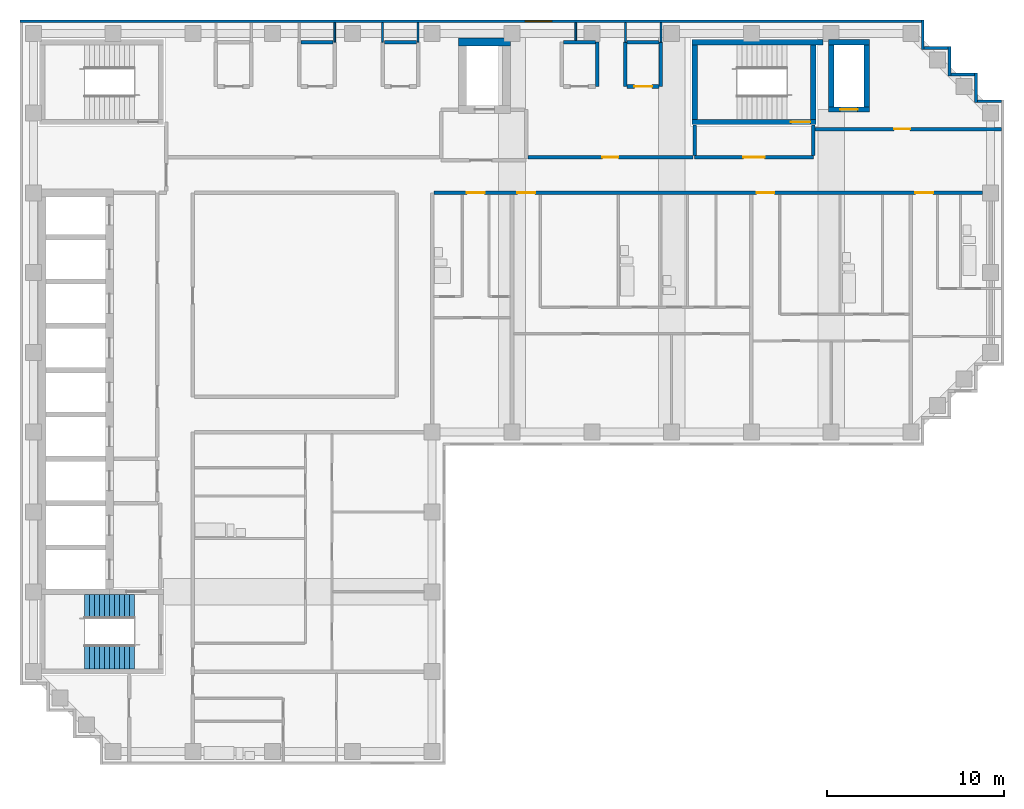
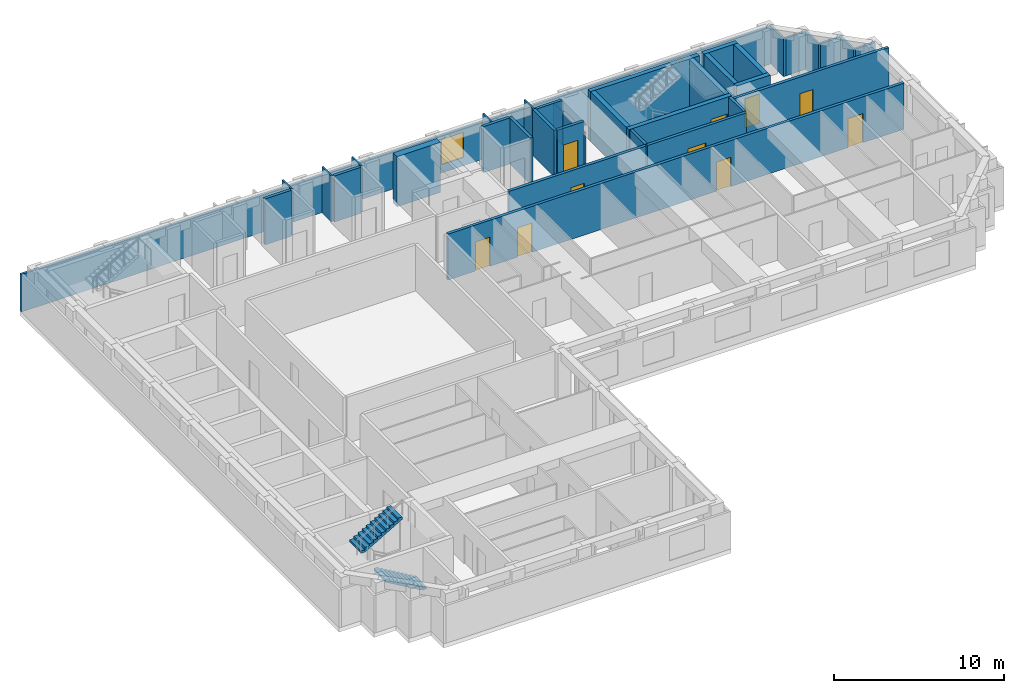
# One storey, part 6 of 9: 36 walls, 10 doors, 2 stair flights, 1 window, 11 openings, 1 element without a shape of its own.
"""IFC4 building model written with IfcOpenShell, lengths in metres."""

from ifc_helpers import new_model, si_unit, direction, frame, frame_2d, origin, place, context, subcontext, project, spatial, polyline, rectangle, outline, extrude, material, layer, layer_set, type_object, element, fill, aggregate, save


model = new_model("IFC4")

# Units and contexts
model_context = context("Model", 3, precision=1e-05, world=origin(), true_north=direction((0.0, 1.0)))
body_context = subcontext(model_context, "Body", "Model", "MODEL_VIEW")
ifc_project = project(units=[si_unit("LENGTHUNIT", "METRE"), si_unit("AREAUNIT", "SQUARE_METRE"), si_unit("VOLUMEUNIT", "CUBIC_METRE"), si_unit("PLANEANGLEUNIT", "RADIAN"), si_unit("MASSUNIT", "GRAM", prefix="KILO")], contexts=[model_context])

# Site, building, storey
site_placement = place(None, origin())
site = spatial("IfcSite", under=ifc_project, at=site_placement, CompositionType="ELEMENT")
building_placement = place(site_placement, origin())
building = spatial("IfcBuilding", under=site, at=building_placement, Name="Firuza Court", CompositionType="ELEMENT")
storey_placement = place(building_placement, frame((0.0, 0.0, 218.60009765625)))
storey = spatial("IfcBuildingStorey", under=building, at=storey_placement, Name="L56", CompositionType="ELEMENT", Elevation=218.60009765625)

# Wall, opening, door
ifc_material_1 = material(Name="Concrete C50/60", Category="concrete")
ifc_layer_1 = layer(ifc_material_1, 0.300048828125)
ifc_layer_set_1 = layer_set([ifc_layer_1], Name="Concrete C50/60")
wall_type_1 = type_object("IfcWallType", Name="Core wall 300 C50/60", PredefinedType="SHEAR", material=ifc_layer_set_1)
wall_1_placement = place(storey_placement, frame((37.14990234375, 53.5, -0.300048828125), z_axis=(0.0, 0.0, 1.0), x_axis=(1.0, 0.0, 0.0)))
wall_1 = element("IfcWall", 1, at=wall_1_placement, inside=storey, type_object=wall_type_1, Name="Core wall stair L56", PredefinedType="SHEAR", context=body_context, shape_type="SweptSolid", body=[
    extrude(rectangle(XDim=7.0, YDim=0.300048828125, at=frame_2d((3.5, 0.0))), origin(), (0.0, 0.0, 1.0), 3.599853515625),
])
opening_1_placement = place(wall_1_placement, frame((5.580078125, 0.0, 0.300048828125)))
opening_1 = element("IfcOpeningElement", 2, at=opening_1_placement, cuts=wall_1, Name="Opening D56009", PredefinedType="OPENING", context=body_context, shape_type="SweptSolid", body=[
    extrude(rectangle(XDim=1.10009765625, YDim=2.10009765625, at=frame_2d((0.550048828125, 1.050048828125))), frame((0.0, 0.162109375, 0.0), z_axis=(0.0, -1.0, 0.0), x_axis=(1.0, 0.0, 0.0)), (0.0, 0.0, 1.0), 0.323974609375),
])
ifc_material_2 = material(Name="Timber door leaf in hardwood frame", Category="wood")
door_type_1 = type_object("IfcDoorType", Name="Stair door 1100", OperationType="SINGLE_SWING_LEFT", PredefinedType="DOOR", material=ifc_material_2)
door_1_placement = place(opening_1_placement, origin())
door_1 = element("IfcDoor", 3, at=door_1_placement, inside=storey, type_object=door_type_1, Name="Stair door S1", OperationType="SINGLE_SWING_RIGHT", OverallHeight=2.10009765625, OverallWidth=1.10009765625, PredefinedType="DOOR", context=body_context, shape_type="SweptSolid", body=[
    extrude(rectangle(XDim=1.10009765625, YDim=2.10009765625, at=frame_2d((0.550048828125, 1.050048828125))), frame((0.0, 0.02490234375, 0.0), z_axis=(0.0, -1.0, 0.0), x_axis=(1.0, 0.0, 0.0)), (0.0, 0.0, 1.0), 0.050048828125),
])
fill(opening_1, door_1)

# Walls
wall_2_placement = place(storey_placement, frame((37.14990234375, 58.0, -0.300048828125), z_axis=(0.0, 0.0, 1.0), x_axis=(1.0, 0.0, 0.0)))
element("IfcWall", 4, at=wall_2_placement, inside=storey, type_object=wall_type_1, Name="Core wall stair L56", PredefinedType="SHEAR", context=body_context, shape_type="SweptSolid", body=[
    extrude(rectangle(XDim=7.400146484375, YDim=0.300048828125, at=frame_2d((3.7001953125, 0.0))), origin(), (0.0, 0.0, 1.0), 3.599853515625),
])
for number, where, z_axis, x_axis, name in (
    (5, (37.300048828125, 53.64990234375, -0.300048828125), (0.0, 0.0, 1.0), (0.0, 1.0, 0.0), "Core wall stair L56"),
    (6, (44.0, 53.64990234375, -0.300048828125), (0.0, 0.0, 1.0), (0.0, 1.0, 0.0), "Core wall stair L56"),
):
    element("IfcWall", number, at=place(storey_placement, frame(where, z_axis=z_axis, x_axis=x_axis)), inside=storey, type_object=wall_type_1, Name=name, PredefinedType="SHEAR", context=body_context, shape_type="SweptSolid", body=[
        extrude(rectangle(XDim=4.2001953125, YDim=0.300048828125, at=frame_2d((2.10009765625, 0.0))), origin(), (0.0, 0.0, 1.0), 3.599853515625),
    ])

# Wall, opening, door
wall_3_placement = place(storey_placement, frame((44.85009765625, 54.199951171875, -0.300048828125), z_axis=(0.0, 0.0, 1.0), x_axis=(1.0, 0.0, 0.0)))
wall_3 = element("IfcWall", 7, at=wall_3_placement, inside=storey, type_object=wall_type_1, Name="Core wall riser L56", PredefinedType="SHEAR", context=body_context, shape_type="SweptSolid", body=[
    extrude(rectangle(XDim=2.2998046875, YDim=0.300048828125, at=frame_2d((1.14990234375, 0.0))), origin(), (0.0, 0.0, 1.0), 3.599853515625),
])
opening_2_placement = place(wall_3_placement, frame((0.64990234375, 0.0, 0.300048828125)))
opening_2 = element("IfcOpeningElement", 8, at=opening_2_placement, cuts=wall_3, Name="Opening D56008", PredefinedType="OPENING", context=body_context, shape_type="SweptSolid", body=[
    extrude(rectangle(XDim=1.0, YDim=2.10009765625, at=frame_2d((0.5, 1.050048828125))), frame((0.0, 0.162109375, 0.0), z_axis=(0.0, -1.0, 0.0), x_axis=(1.0, 0.0, 0.0)), (0.0, 0.0, 1.0), 0.323974609375),
])
ifc_material_3 = material(Name="Timber door leaf in hardwood frame", Category="wood")
door_type_2 = type_object("IfcDoorType", Name="Riser door 1000", OperationType="SINGLE_SWING_LEFT", PredefinedType="DOOR", material=ifc_material_3)
door_2_placement = place(opening_2_placement, origin())
door_2 = element("IfcDoor", 9, at=door_2_placement, inside=storey, type_object=door_type_2, Name="Riser door R3", OperationType="SINGLE_SWING_LEFT", OverallHeight=2.10009765625, OverallWidth=1.0, PredefinedType="DOOR", context=body_context, shape_type="SweptSolid", body=[
    extrude(rectangle(XDim=1.0, YDim=2.10009765625, at=frame_2d((0.5, 1.050048828125))), frame((0.0, 0.02490234375, 0.0), z_axis=(0.0, -1.0, 0.0), x_axis=(1.0, 0.0, 0.0)), (0.0, 0.0, 1.0), 0.050048828125),
])
fill(opening_2, door_2)

# Walls
wall_4_placement = place(storey_placement, frame((44.85009765625, 58.0, -0.300048828125), z_axis=(0.0, 0.0, 1.0), x_axis=(1.0, 0.0, 0.0)))
element("IfcWall", 10, at=wall_4_placement, inside=storey, type_object=wall_type_1, Name="Core wall riser L56", PredefinedType="SHEAR", context=body_context, shape_type="SweptSolid", body=[
    extrude(rectangle(XDim=2.2998046875, YDim=0.300048828125, at=frame_2d((1.14990234375, 0.0))), origin(), (0.0, 0.0, 1.0), 3.599853515625),
])
for number, where, z_axis, x_axis, name in (
    (11, (45.0, 54.35009765625, -0.300048828125), (0.0, 0.0, 1.0), (0.0, 1.0, 0.0), "Core wall riser L56"),
    (12, (47.0, 54.35009765625, -0.300048828125), (0.0, 0.0, 1.0), (0.0, 1.0, 0.0), "Core wall riser L56"),
):
    element("IfcWall", number, at=place(storey_placement, frame(where, z_axis=z_axis, x_axis=x_axis)), inside=storey, type_object=wall_type_1, Name=name, PredefinedType="SHEAR", context=body_context, shape_type="SweptSolid", body=[
        extrude(rectangle(XDim=3.5, YDim=0.300048828125, at=frame_2d((1.75, 0.0))), origin(), (0.0, 0.0, 1.0), 3.599853515625),
    ])
ifc_layer_2 = layer(ifc_material_1, 0.449951171875)
ifc_layer_set_2 = layer_set([ifc_layer_2], Name="Concrete C50/60")
wall_type_2 = type_object("IfcWallType", Name="Core wall 450 C50/60", PredefinedType="SHEAR", material=ifc_layer_set_2)
wall_5_placement = place(storey_placement, frame((23.97509765625, 58.0, -0.300048828125), z_axis=(0.0, 0.0, 1.0), x_axis=(1.0, 0.0, 0.0)))
element("IfcWall", 13, at=wall_5_placement, inside=storey, type_object=wall_type_2, Name="Core wall lift shaft L56", PredefinedType="SHEAR", context=body_context, shape_type="SweptSolid", body=[
    extrude(rectangle(XDim=2.949951171875, YDim=0.449951171875, at=frame_2d((1.47509765625, 0.0))), origin(), (0.0, 0.0, 1.0), 3.599853515625),
])

# Wall, openings, doors
ifc_material_4 = material(Name="Blockwork, plastered both sides", Category="masonry")
ifc_layer_3 = layer(ifc_material_4, 0.199951171875)
ifc_layer_set_3 = layer_set([ifc_layer_3], Name="Blockwork, plastered both sides")
wall_type_3 = type_object("IfcWallType", Name="Corridor wall 200", PredefinedType="PARTITIONING", material=ifc_layer_set_3)
wall_6_placement = place(storey_placement, frame((22.60009765625, 49.5, 0.0), z_axis=(0.0, 0.0, 1.0), x_axis=(1.0, 0.0, 0.0)))
wall_6 = element("IfcWall", 14, at=wall_6_placement, inside=storey, type_object=wall_type_3, Name="Corridor wall 200 L56", PredefinedType="PARTITIONING", context=body_context, shape_type="SweptSolid", body=[
    extrude(rectangle(XDim=30.949951171875, YDim=0.199951171875, at=frame_2d((15.47509765625, 0.0))), origin(), (0.0, 0.0, 1.0), 3.2998046875),
])
opening_3_placement = place(wall_6_placement, frame((1.85009765625, 0.0, 0.0)))
opening_3 = element("IfcOpeningElement", 15, at=opening_3_placement, cuts=wall_6, Name="Opening D56045", PredefinedType="OPENING", context=body_context, shape_type="SweptSolid", body=[
    extrude(rectangle(XDim=1.0, YDim=2.10009765625, at=frame_2d((0.5, 1.050048828125))), frame((0.0, 0.11181640625, 0.0), z_axis=(0.0, -1.0, 0.0), x_axis=(1.0, 0.0, 0.0)), (0.0, 0.0, 1.0), 0.223876953125),
])
opening_4_placement = place(wall_6_placement, frame((4.699951171875, 0.0, 0.0)))
opening_4 = element("IfcOpeningElement", 16, at=opening_4_placement, cuts=wall_6, Name="Opening D56046", PredefinedType="OPENING", context=body_context, shape_type="SweptSolid", body=[
    extrude(rectangle(XDim=1.0, YDim=2.10009765625, at=frame_2d((0.5, 1.050048828125))), frame((0.0, 0.11181640625, 0.0), z_axis=(0.0, -1.0, 0.0), x_axis=(1.0, 0.0, 0.0)), (0.0, 0.0, 1.0), 0.223876953125),
])
opening_5_placement = place(wall_6_placement, frame((18.199951171875, 0.0, 0.0)))
opening_5 = element("IfcOpeningElement", 17, at=opening_5_placement, cuts=wall_6, Name="Opening D56047", PredefinedType="OPENING", context=body_context, shape_type="SweptSolid", body=[
    extrude(rectangle(XDim=1.0, YDim=2.10009765625, at=frame_2d((0.5, 1.050048828125))), frame((0.0, 0.11181640625, 0.0), z_axis=(0.0, -1.0, 0.0), x_axis=(1.0, 0.0, 0.0)), (0.0, 0.0, 1.0), 0.223876953125),
])
opening_6_placement = place(wall_6_placement, frame((27.14990234375, 0.0, 0.0)))
opening_6 = element("IfcOpeningElement", 18, at=opening_6_placement, cuts=wall_6, Name="Opening D56048", PredefinedType="OPENING", context=body_context, shape_type="SweptSolid", body=[
    extrude(rectangle(XDim=1.0, YDim=2.10009765625, at=frame_2d((0.5, 1.050048828125))), frame((0.0, 0.11181640625, 0.0), z_axis=(0.0, -1.0, 0.0), x_axis=(1.0, 0.0, 0.0)), (0.0, 0.0, 1.0), 0.223876953125),
])
ifc_material_5 = material(Name="Timber door leaf in hardwood frame", Category="wood")
door_type_3 = type_object("IfcDoorType", Name="Flat entrance door 1000", OperationType="SINGLE_SWING_LEFT", PredefinedType="DOOR", material=ifc_material_5)
door_3_placement = place(opening_3_placement, origin())
door_3 = element("IfcDoor", 19, at=door_3_placement, inside=storey, type_object=door_type_3, Name="Flat entrance door", OperationType="SINGLE_SWING_LEFT", OverallHeight=2.10009765625, OverallWidth=1.0, PredefinedType="DOOR", context=body_context, shape_type="SweptSolid", body=[
    extrude(rectangle(XDim=1.0, YDim=2.10009765625, at=frame_2d((0.5, 1.050048828125))), frame((0.0, 0.02490234375, 0.0), z_axis=(0.0, -1.0, 0.0), x_axis=(1.0, 0.0, 0.0)), (0.0, 0.0, 1.0), 0.050048828125),
])
fill(opening_3, door_3)
door_4_placement = place(opening_4_placement, origin())
door_4 = element("IfcDoor", 20, at=door_4_placement, inside=storey, type_object=door_type_3, Name="Flat entrance door", OperationType="SINGLE_SWING_LEFT", OverallHeight=2.10009765625, OverallWidth=1.0, PredefinedType="DOOR", context=body_context, shape_type="SweptSolid", body=[
    extrude(rectangle(XDim=1.0, YDim=2.10009765625, at=frame_2d((0.5, 1.050048828125))), frame((0.0, 0.02490234375, 0.0), z_axis=(0.0, -1.0, 0.0), x_axis=(1.0, 0.0, 0.0)), (0.0, 0.0, 1.0), 0.050048828125),
])
fill(opening_4, door_4)
door_5_placement = place(opening_5_placement, origin())
door_5 = element("IfcDoor", 21, at=door_5_placement, inside=storey, type_object=door_type_3, Name="Flat entrance door", OperationType="SINGLE_SWING_LEFT", OverallHeight=2.10009765625, OverallWidth=1.0, PredefinedType="DOOR", context=body_context, shape_type="SweptSolid", body=[
    extrude(rectangle(XDim=1.0, YDim=2.10009765625, at=frame_2d((0.5, 1.050048828125))), frame((0.0, 0.02490234375, 0.0), z_axis=(0.0, -1.0, 0.0), x_axis=(1.0, 0.0, 0.0)), (0.0, 0.0, 1.0), 0.050048828125),
])
fill(opening_5, door_5)
door_6_placement = place(opening_6_placement, origin())
door_6 = element("IfcDoor", 22, at=door_6_placement, inside=storey, type_object=door_type_3, Name="Flat entrance door", OperationType="SINGLE_SWING_RIGHT", OverallHeight=2.10009765625, OverallWidth=1.0, PredefinedType="DOOR", context=body_context, shape_type="SweptSolid", body=[
    extrude(rectangle(XDim=1.0, YDim=2.10009765625, at=frame_2d((0.5, 1.050048828125))), frame((0.0, 0.02490234375, 0.0), z_axis=(0.0, -1.0, 0.0), x_axis=(1.0, 0.0, 0.0)), (0.0, 0.0, 1.0), 0.050048828125),
])
fill(opening_6, door_6)

# Wall, opening, door
wall_7_placement = place(storey_placement, frame((27.89990234375, 51.5, 0.0), z_axis=(0.0, 0.0, 1.0), x_axis=(1.0, 0.0, 0.0)))
wall_7 = element("IfcWall", 23, at=wall_7_placement, inside=storey, type_object=wall_type_3, Name="Corridor wall 200 L56", PredefinedType="PARTITIONING", context=body_context, shape_type="SweptSolid", body=[
    extrude(rectangle(XDim=9.300048828125, YDim=0.199951171875, at=frame_2d((4.64990234375, 0.0))), origin(), (0.0, 0.0, 1.0), 3.2998046875),
])
opening_7_placement = place(wall_7_placement, frame((4.199951171875, 0.0, 0.0)))
opening_7 = element("IfcOpeningElement", 24, at=opening_7_placement, cuts=wall_7, Name="Opening D56050", PredefinedType="OPENING", context=body_context, shape_type="SweptSolid", body=[
    extrude(rectangle(XDim=0.89990234375, YDim=2.10009765625, at=frame_2d((0.449951171875, 1.050048828125))), frame((0.0, 0.11181640625, 0.0), z_axis=(0.0, -1.0, 0.0), x_axis=(1.0, 0.0, 0.0)), (0.0, 0.0, 1.0), 0.223876953125),
])
ifc_material_6 = material(Name="Timber door leaf in hardwood frame", Category="wood")
door_type_4 = type_object("IfcDoorType", Name="Room door 900 EI 30", OperationType="SINGLE_SWING_LEFT", PredefinedType="DOOR", material=ifc_material_6)
door_7_placement = place(opening_7_placement, origin())
door_7 = element("IfcDoor", 25, at=door_7_placement, inside=storey, type_object=door_type_4, Name="Meeting room door", OperationType="SINGLE_SWING_LEFT", OverallHeight=2.10009765625, OverallWidth=0.89990234375, PredefinedType="DOOR", context=body_context, shape_type="SweptSolid", body=[
    extrude(rectangle(XDim=0.89990234375, YDim=2.10009765625, at=frame_2d((0.449951171875, 1.050048828125))), frame((0.0, 0.02490234375, 0.0), z_axis=(0.0, -1.0, 0.0), x_axis=(1.0, 0.0, 0.0)), (0.0, 0.0, 1.0), 0.050048828125),
])
fill(opening_7, door_7)

wall_8_placement = place(storey_placement, frame((44.10009765625, 53.10009765625, 0.0), z_axis=(0.0, 0.0, 1.0), x_axis=(1.0, 0.0, 0.0)))
wall_8 = element("IfcWall", 26, at=wall_8_placement, inside=storey, type_object=wall_type_3, Name="Corridor wall 200 L56", PredefinedType="PARTITIONING", context=body_context, shape_type="SweptSolid", body=[
    extrude(rectangle(XDim=10.5, YDim=0.199951171875, at=frame_2d((5.25, 0.0))), origin(), (0.0, 0.0, 1.0), 3.2998046875),
])
opening_8_placement = place(wall_8_placement, frame((4.449951171875, 0.0, 0.0)))
opening_8 = element("IfcOpeningElement", 27, at=opening_8_placement, cuts=wall_8, Name="Opening D56051", PredefinedType="OPENING", context=body_context, shape_type="SweptSolid", body=[
    extrude(rectangle(XDim=0.89990234375, YDim=2.10009765625, at=frame_2d((0.449951171875, 1.050048828125))), frame((0.0, 0.11181640625, 0.0), z_axis=(0.0, -1.0, 0.0), x_axis=(1.0, 0.0, 0.0)), (0.0, 0.0, 1.0), 0.223876953125),
])
door_8_placement = place(opening_8_placement, origin())
door_8 = element("IfcDoor", 28, at=door_8_placement, inside=storey, type_object=door_type_4, Name="Staff pantry door", OperationType="SINGLE_SWING_LEFT", OverallHeight=2.10009765625, OverallWidth=0.89990234375, PredefinedType="DOOR", context=body_context, shape_type="SweptSolid", body=[
    extrude(rectangle(XDim=0.89990234375, YDim=2.10009765625, at=frame_2d((0.449951171875, 1.050048828125))), frame((0.0, 0.02490234375, 0.0), z_axis=(0.0, -1.0, 0.0), x_axis=(1.0, 0.0, 0.0)), (0.0, 0.0, 1.0), 0.050048828125),
])
fill(opening_8, door_8)

# Walls
ifc_material_7 = material(Name="Timber stud partition, plasterboard both sides", Category="wood")
ifc_layer_4 = layer(ifc_material_7, 0.10009765625)
ifc_layer_set_4 = layer_set([ifc_layer_4], Name="Timber stud partition, plasterboard both sides")
wall_type_4 = type_object("IfcWallType", Name="Partition wall 100", PredefinedType="PARTITIONING", material=ifc_layer_set_4)
for number, where, z_axis, x_axis, name in (
    (29, (17.0, 58.0, 0.0), (0.0, 0.0, 1.0), (0.0, 1.0, 0.0), "Partition wall 100 L56"),
    (30, (19.699951171875, 58.0, 0.0), (0.0, 0.0, 1.0), (0.0, 1.0, 0.0), "Partition wall 100 L56"),
    (31, (21.699951171875, 58.0, 0.0), (0.0, 0.0, 1.0), (0.0, 1.0, 0.0), "Partition wall 100 L56"),
    (32, (33.39990234375, 58.0, 0.0), (0.0, 0.0, 1.0), (0.0, 1.0, 0.0), "Partition wall 100 L56"),
):
    element("IfcWall", number, at=place(storey_placement, frame(where, z_axis=z_axis, x_axis=x_axis)), inside=storey, type_object=wall_type_4, Name=name, PredefinedType="PARTITIONING", context=body_context, shape_type="SweptSolid", body=[
        extrude(rectangle(XDim=1.10009765625, YDim=0.10009765625, at=frame_2d((0.550048828125, 0.0))), origin(), (0.0, 0.0, 1.0), 3.2998046875),
    ])
wall_9_placement = place(storey_placement, frame((35.39990234375, 58.0, 0.0), z_axis=(0.0, 0.0, 1.0), x_axis=(0.0, 1.0, 0.0)))
element("IfcWall", 33, at=wall_9_placement, inside=storey, type_object=wall_type_4, Name="Partition wall 100 L56", PredefinedType="PARTITIONING", context=body_context, shape_type="SweptSolid", body=[
    extrude(rectangle(XDim=1.10009765625, YDim=0.10009765625, at=frame_2d((0.550048828125, 0.0))), origin(), (0.0, 0.0, 1.0), 2.39990234375),
])
wall_10_placement = place(storey_placement, frame((30.60009765625, 58.10009765625, 0.0), z_axis=(0.0, 0.0, 1.0), x_axis=(0.0, 1.0, 0.0)))
element("IfcWall", 34, at=wall_10_placement, inside=storey, type_object=wall_type_4, Name="Partition wall 100 L56", PredefinedType="PARTITIONING", context=body_context, shape_type="SweptSolid", body=[
    extrude(rectangle(XDim=1.0, YDim=0.10009765625, at=frame_2d((0.5, 0.0))), origin(), (0.0, 0.0, 1.0), 3.2998046875),
])
ifc_material_8 = material(Name="Blockwork, fire-rated", Category="masonry")
ifc_layer_5 = layer(ifc_material_8, 0.199951171875)
ifc_layer_set_5 = layer_set([ifc_layer_5], Name="Blockwork, fire-rated")
wall_type_5 = type_object("IfcWallType", Name="Plant room wall 200", PredefinedType="PARTITIONING", material=ifc_layer_set_5)
for number, where, z_axis, x_axis, name in (
    (35, (31.800048828125, 55.5, 0.0), (0.0, 0.0, 1.0), (0.0, 1.0, 0.0), "Plant room wall 200 L56"),
    (36, (33.39990234375, 55.5, 0.0), (0.0, 0.0, 1.0), (0.0, 1.0, 0.0), "Plant room wall 200 L56"),
):
    element("IfcWall", number, at=place(storey_placement, frame(where, z_axis=z_axis, x_axis=x_axis)), inside=storey, type_object=wall_type_5, Name=name, PredefinedType="PARTITIONING", context=body_context, shape_type="SweptSolid", body=[
        extrude(rectangle(XDim=2.5, YDim=0.199951171875, at=frame_2d((1.25, 0.0))), origin(), (0.0, 0.0, 1.0), 3.2998046875),
    ])

# Wall, opening, door
wall_11_placement = place(storey_placement, frame((33.5, 55.5, 0.0), z_axis=(0.0, 0.0, 1.0), x_axis=(1.0, 0.0, 0.0)))
wall_11 = element("IfcWall", 37, at=wall_11_placement, inside=storey, type_object=wall_type_5, Name="Plant room wall 200 L56", PredefinedType="PARTITIONING", context=body_context, shape_type="SweptSolid", body=[
    extrude(rectangle(XDim=1.800048828125, YDim=0.199951171875, at=frame_2d((0.89990234375, 0.0))), origin(), (0.0, 0.0, 1.0), 3.2998046875),
])
opening_9_placement = place(wall_11_placement, frame((0.39990234375, 0.0, 0.0)))
opening_9 = element("IfcOpeningElement", 38, at=opening_9_placement, cuts=wall_11, Name="Opening D56056", PredefinedType="OPENING", context=body_context, shape_type="SweptSolid", body=[
    extrude(rectangle(XDim=1.0, YDim=2.10009765625, at=frame_2d((0.5, 1.050048828125))), frame((0.0, 0.11181640625, 0.0), z_axis=(0.0, -1.0, 0.0), x_axis=(1.0, 0.0, 0.0)), (0.0, 0.0, 1.0), 0.223876953125),
])
door_9_placement = place(opening_9_placement, origin())
door_9 = element("IfcDoor", 39, at=door_9_placement, inside=storey, type_object=door_type_2, Name="Duct riser door", OperationType="SINGLE_SWING_LEFT", OverallHeight=2.10009765625, OverallWidth=1.0, PredefinedType="DOOR", context=body_context, shape_type="SweptSolid", body=[
    extrude(rectangle(XDim=1.0, YDim=2.10009765625, at=frame_2d((0.5, 1.050048828125))), frame((0.0, 0.02490234375, 0.0), z_axis=(0.0, -1.0, 0.0), x_axis=(1.0, 0.0, 0.0)), (0.0, 0.0, 1.0), 0.050048828125),
])
fill(opening_9, door_9)

# Walls
wall_12_placement = place(storey_placement, frame((35.39990234375, 55.5, 0.0), z_axis=(0.0, 0.0, 1.0), x_axis=(0.0, 1.0, 0.0)))
element("IfcWall", 40, at=wall_12_placement, inside=storey, type_object=wall_type_5, Name="Plant room wall 200 L56", PredefinedType="PARTITIONING", context=body_context, shape_type="SweptSolid", body=[
    extrude(rectangle(XDim=2.5, YDim=0.199951171875, at=frame_2d((1.25, 0.0))), origin(), (0.0, 0.0, 1.0), 2.39990234375),
])
wall_13_placement = place(storey_placement, frame((15.10009765625, 58.0, 0.0), z_axis=(0.0, 0.0, 1.0), x_axis=(1.0, 0.0, 0.0)))
element("IfcWall", 41, at=wall_13_placement, inside=storey, type_object=wall_type_5, Name="Plant room wall 200 L56", PredefinedType="PARTITIONING", context=body_context, shape_type="SweptSolid", body=[
    extrude(rectangle(XDim=1.7998046875, YDim=0.199951171875, at=frame_2d((0.89990234375, 0.0))), origin(), (0.0, 0.0, 1.0), 3.2998046875),
])
for number, where, z_axis, x_axis, name in (
    (42, (19.800048828125, 58.0, 0.0), (0.0, 0.0, 1.0), (1.0, 0.0, 0.0), "Plant room wall 200 L56"),
    (43, (29.89990234375, 58.0, 0.0), (0.0, 0.0, 1.0), (1.0, 0.0, 0.0), "Plant room wall 200 L56"),
    (44, (33.5, 58.0, 0.0), (0.0, 0.0, 1.0), (1.0, 0.0, 0.0), "Plant room wall 200 L56"),
):
    element("IfcWall", number, at=place(storey_placement, frame(where, z_axis=z_axis, x_axis=x_axis)), inside=storey, type_object=wall_type_5, Name=name, PredefinedType="PARTITIONING", context=body_context, shape_type="SweptSolid", body=[
        extrude(rectangle(XDim=1.800048828125, YDim=0.199951171875, at=frame_2d((0.89990234375, 0.0))), origin(), (0.0, 0.0, 1.0), 3.2998046875),
    ])
ifc_material_9 = material(Name="Ceramic tile", Category="ceramic")
ifc_layer_6 = layer(ifc_material_9, 0.02001953125)
ifc_material_10 = material(Name="Mineral wool insulation", Category="insulation")
ifc_layer_7 = layer(ifc_material_10, 0.050048828125)
ifc_material_11 = material(Name="Concrete C40/50 precast", Category="concrete")
ifc_layer_8 = layer(ifc_material_11, 0.080078125)
ifc_layer_set_6 = layer_set([ifc_layer_6, ifc_layer_7, ifc_layer_8], Name="Concrete C40/50 precast")
wall_type_6 = type_object("IfcWallType", Name="Precast cladding wall with turquoise TILE PANEL face 150", PredefinedType="STANDARD", material=ifc_layer_set_6)
wall_14_placement = place(storey_placement, frame((54.60009765625, 54.675048828125, 0.0), z_axis=(0.0, 0.0, 1.0), x_axis=(-1.0, 0.0, 0.0)))
element("IfcWall", 45, at=wall_14_placement, inside=storey, type_object=wall_type_6, Name="Facade wall L56 N", PredefinedType="STANDARD", context=body_context, shape_type="SweptSolid", body=[
    extrude(rectangle(XDim=1.35009765625, YDim=0.14990234375, at=frame_2d((0.675048828125, 0.0))), origin(), (0.0, 0.0, 1.0), 2.699951171875),
])
wall_15_placement = place(storey_placement, frame((53.175048828125, 54.60009765625, 0.0), z_axis=(0.0, 0.0, 1.0), x_axis=(0.0, 1.0, 0.0)))
element("IfcWall", 46, at=wall_15_placement, inside=storey, type_object=wall_type_6, Name="Facade wall L56 E", PredefinedType="STANDARD", context=body_context, shape_type="SweptSolid", body=[
    extrude(rectangle(XDim=1.64990234375, YDim=0.14990234375, at=frame_2d((0.824951171875, 0.0))), origin(), (0.0, 0.0, 1.0), 2.699951171875),
])
wall_16_placement = place(storey_placement, frame((53.10009765625, 56.175048828125, 0.0), z_axis=(0.0, 0.0, 1.0), x_axis=(-1.0, 0.0, 0.0)))
element("IfcWall", 47, at=wall_16_placement, inside=storey, type_object=wall_type_6, Name="Facade wall L56 N", PredefinedType="STANDARD", context=body_context, shape_type="SweptSolid", body=[
    extrude(rectangle(XDim=1.35009765625, YDim=0.14990234375, at=frame_2d((0.675048828125, 0.0))), origin(), (0.0, 0.0, 1.0), 2.699951171875),
])
wall_17_placement = place(storey_placement, frame((51.675048828125, 56.10009765625, 0.0), z_axis=(0.0, 0.0, 1.0), x_axis=(0.0, 1.0, 0.0)))
element("IfcWall", 48, at=wall_17_placement, inside=storey, type_object=wall_type_6, Name="Facade wall L56 E", PredefinedType="STANDARD", context=body_context, shape_type="SweptSolid", body=[
    extrude(rectangle(XDim=1.64990234375, YDim=0.14990234375, at=frame_2d((0.824951171875, 0.0))), origin(), (0.0, 0.0, 1.0), 2.699951171875),
])
wall_18_placement = place(storey_placement, frame((51.60009765625, 57.675048828125, 0.0), z_axis=(0.0, 0.0, 1.0), x_axis=(-1.0, 0.0, 0.0)))
element("IfcWall", 49, at=wall_18_placement, inside=storey, type_object=wall_type_6, Name="Facade wall L56 N", PredefinedType="STANDARD", context=body_context, shape_type="SweptSolid", body=[
    extrude(rectangle(XDim=1.35009765625, YDim=0.14990234375, at=frame_2d((0.675048828125, 0.0))), origin(), (0.0, 0.0, 1.0), 2.699951171875),
])
wall_19_placement = place(storey_placement, frame((50.175048828125, 57.60009765625, 0.0), z_axis=(0.0, 0.0, 1.0), x_axis=(0.0, 1.0, 0.0)))
element("IfcWall", 50, at=wall_19_placement, inside=storey, type_object=wall_type_6, Name="Facade wall L56 E", PredefinedType="STANDARD", context=body_context, shape_type="SweptSolid", body=[
    extrude(rectangle(XDim=1.64990234375, YDim=0.14990234375, at=frame_2d((0.824951171875, 0.0))), origin(), (0.0, 0.0, 1.0), 2.699951171875),
])

# Wall, opening, window
wall_20_placement = place(storey_placement, frame((50.10009765625, 59.175048828125, 0.0), z_axis=(0.0, 0.0, 1.0), x_axis=(-1.0, 0.0, 0.0)))
wall_20 = element("IfcWall", 51, at=wall_20_placement, inside=storey, type_object=wall_type_6, Name="Facade wall L56 N", PredefinedType="STANDARD", context=body_context, shape_type="SweptSolid", body=[
    extrude(rectangle(XDim=50.85009765625, YDim=0.14990234375, at=frame_2d((25.425048828125, 0.0))), origin(), (0.0, 0.0, 1.0), 2.699951171875),
])
opening_10_placement = place(wall_20_placement, frame((20.857421875, 0.0, 0.60009765625)))
opening_10 = element("IfcOpeningElement", 52, at=opening_10_placement, cuts=wall_20, Name="Opening W2", PredefinedType="OPENING", context=body_context, shape_type="SweptSolid", body=[
    extrude(rectangle(XDim=1.5, YDim=1.800048828125, at=frame_2d((0.75, 0.89990234375))), frame((0.0, 0.0869140625, 0.0), z_axis=(0.0, -1.0, 0.0), x_axis=(1.0, 0.0, 0.0)), (0.0, 0.0, 1.0), 0.173828125),
])
ifc_material_12 = material(Name="Aluminium frame, triple clear glazing", Category="aluminium")
window_type = type_object("IfcWindowType", Name="Window W2 1500 x 1800", PartitioningType="SINGLE_PANEL", PredefinedType="WINDOW", material=ifc_material_12)
window_placement = place(opening_10_placement, origin())
window = element("IfcWindow", 53, at=window_placement, inside=storey, type_object=window_type, Name="Window L56", OverallHeight=1.800048828125, OverallWidth=1.5, PartitioningType="SINGLE_PANEL", PredefinedType="WINDOW", context=body_context, shape_type="SweptSolid", body=[
    extrude(rectangle(XDim=1.5, YDim=1.800048828125, at=frame_2d((0.75, 0.89990234375))), frame((0.0, 0.030029296875, 0.0), z_axis=(0.0, -1.0, 0.0), x_axis=(1.0, 0.0, 0.0)), (0.0, 0.0, 1.0), 0.06005859375),
])
fill(opening_10, window)

# Wall, opening, door
ifc_layer_9 = layer(ifc_material_8, 0.199951171875)
ifc_layer_set_7 = layer_set([ifc_layer_9], Name="Blockwork, fire-rated")
wall_type_7 = type_object("IfcWallType", Name="Shaft wall 200", PredefinedType="PARTITIONING", material=ifc_layer_set_7)
wall_21_placement = place(storey_placement, frame((37.300048828125, 51.5, 0.0), z_axis=(0.0, 0.0, 1.0), x_axis=(1.0, 0.0, 0.0)))
wall_21 = element("IfcWall", 54, at=wall_21_placement, inside=storey, type_object=wall_type_7, Name="Shaft wall 200 L56", PredefinedType="PARTITIONING", context=body_context, shape_type="SweptSolid", body=[
    extrude(rectangle(XDim=6.699951171875, YDim=0.199951171875, at=frame_2d((3.35009765625, 0.0))), origin(), (0.0, 0.0, 1.0), 3.2998046875),
])
opening_11_placement = place(wall_21_placement, frame((2.75, 0.0, 0.0)))
opening_11 = element("IfcOpeningElement", 55, at=opening_11_placement, cuts=wall_21, Name="Opening D56006", PredefinedType="OPENING", context=body_context, shape_type="SweptSolid", body=[
    extrude(rectangle(XDim=1.199951171875, YDim=2.10009765625, at=frame_2d((0.60009765625, 1.050048828125))), frame((0.0, 0.11181640625, 0.0), z_axis=(0.0, -1.0, 0.0), x_axis=(1.0, 0.0, 0.0)), (0.0, 0.0, 1.0), 0.223876953125),
])
ifc_material_13 = material(Name="Timber door leaf in hardwood frame", Category="wood")
door_type_5 = type_object("IfcDoorType", Name="Lobby door 1200", OperationType="SINGLE_SWING_LEFT", PredefinedType="DOOR", material=ifc_material_13)
door_10_placement = place(opening_11_placement, origin())
door_10 = element("IfcDoor", 56, at=door_10_placement, inside=storey, type_object=door_type_5, Name="Lobby door", OperationType="SINGLE_SWING_LEFT", OverallHeight=2.10009765625, OverallWidth=1.199951171875, PredefinedType="DOOR", context=body_context, shape_type="SweptSolid", body=[
    extrude(rectangle(XDim=1.199951171875, YDim=2.10009765625, at=frame_2d((0.60009765625, 1.050048828125))), frame((0.0, 0.02490234375, 0.0), z_axis=(0.0, -1.0, 0.0), x_axis=(1.0, 0.0, 0.0)), (0.0, 0.0, 1.0), 0.050048828125),
])
fill(opening_11, door_10)

# Walls
for number, where, z_axis, x_axis, name in (
    (57, (44.0, 51.60009765625, 0.0), (0.0, 0.0, 1.0), (0.0, 1.0, 0.0), "Shaft wall 200 L56"),
    (58, (37.300048828125, 51.60009765625, 0.0), (0.0, 0.0, 1.0), (0.0, 1.0, 0.0), "Shaft wall 200 L56"),
):
    element("IfcWall", number, at=place(storey_placement, frame(where, z_axis=z_axis, x_axis=x_axis)), inside=storey, type_object=wall_type_7, Name=name, PredefinedType="PARTITIONING", context=body_context, shape_type="SweptSolid", body=[
        extrude(rectangle(XDim=1.72998046875, YDim=0.199951171875, at=frame_2d((0.864990234375, 0.0))), origin(), (0.0, 0.0, 1.0), 3.2998046875),
    ])

# Stair, stair flights
ifc_material_14 = material(Name="Concrete C40/50 precast", Category="concrete")
stair_type = type_object("IfcStairType", Name="Stair 1350 x 3600 2 flights", PredefinedType="HALF_TURN_STAIR", material=ifc_material_14)
stair_placement = place(storey_placement, origin())
stair = element("IfcStair", 59, at=stair_placement, inside=storey, type_object=stair_type, Name="Stair 2 L56", PredefinedType="HALF_TURN_STAIR")
ifc_material_15 = material(Name="Concrete C40/50 precast", Category="concrete")
stair_flight_type = type_object("IfcStairFlightType", Name="Flight 1350 riser 163.6", PredefinedType="STRAIGHT", material=ifc_material_15)
stair_flight_1_placement = place(storey_placement, frame((5.699951171875, 23.324951171875, 0.0), z_axis=(0.0, 0.0, 1.0), x_axis=(-1.0, 0.0, 0.0)))
stair_flight_1 = element("IfcStairFlight", 60, at=stair_flight_1_placement, type_object=stair_flight_type, Name="S2 flight 1", NumberOfRisers=11, NumberOfTreads=10, PredefinedType="STRAIGHT", RiserHeight=0.163636364, TreadLength=0.28, context=body_context, shape_type="SweptSolid", body=[
    extrude(outline(polyline([(0.0, 0.0), (0.0, 0.16357421875), (0.280029296875, 0.16357421875), (0.280029296875, 0.327392578125), (0.56005859375, 0.327392578125), (0.56005859375, 0.490966796875), (0.840087890625, 0.490966796875), (0.840087890625, 0.654541015625), (1.1201171875, 0.654541015625), (1.1201171875, 0.818115234375), (1.39990234375, 0.818115234375), (1.39990234375, 0.98193359375), (1.679931640625, 0.98193359375), (1.679931640625, 1.1455078125), (1.9599609375, 1.1455078125), (1.9599609375, 1.30908203125), (2.239990234375, 1.30908203125), (2.239990234375, 1.47265625), (2.52001953125, 1.47265625), (2.52001953125, 1.636474609375), (2.800048828125, 1.636474609375), (2.800048828125, 1.800048828125), (2.800048828125, 1.462646484375), (0.297119140625, 0.0), (0.0, 0.0)])), frame((0.0, 0.675048828125, 0.0), z_axis=(0.0, -1.0, 0.0), x_axis=(1.0, 0.0, 0.0)), (0.0, 0.0, 1.0), 1.35009765625),
])
stair_flight_2_placement = place(storey_placement, frame((2.89990234375, 26.175048828125, 1.7998046875), z_axis=(0.0, 0.0, 1.0), x_axis=(1.0, 0.0, 0.0)))
stair_flight_2 = element("IfcStairFlight", 61, at=stair_flight_2_placement, type_object=stair_flight_type, Name="S2 flight 2", NumberOfRisers=11, NumberOfTreads=10, PredefinedType="STRAIGHT", RiserHeight=0.163636364, TreadLength=0.28, context=body_context, shape_type="SweptSolid", body=[
    extrude(outline(polyline([(0.0, 0.0), (0.0, 0.16357421875), (0.280029296875, 0.16357421875), (0.280029296875, 0.327392578125), (0.56005859375, 0.327392578125), (0.56005859375, 0.490966796875), (0.840087890625, 0.490966796875), (0.840087890625, 0.654541015625), (1.1201171875, 0.654541015625), (1.1201171875, 0.818115234375), (1.39990234375, 0.818115234375), (1.39990234375, 0.98193359375), (1.679931640625, 0.98193359375), (1.679931640625, 1.1455078125), (1.9599609375, 1.1455078125), (1.9599609375, 1.30908203125), (2.239990234375, 1.30908203125), (2.239990234375, 1.47265625), (2.52001953125, 1.47265625), (2.52001953125, 1.636474609375), (2.800048828125, 1.636474609375), (2.800048828125, 1.800048828125), (2.800048828125, 1.462646484375), (0.297119140625, 0.0), (0.0, 0.0)])), frame((0.0, 0.675048828125, 0.0), z_axis=(0.0, -1.0, 0.0), x_axis=(1.0, 0.0, 0.0)), (0.0, 0.0, 1.0), 1.35009765625),
])
aggregate(stair, [stair_flight_1, stair_flight_2])

save(model, "model.ifc")
